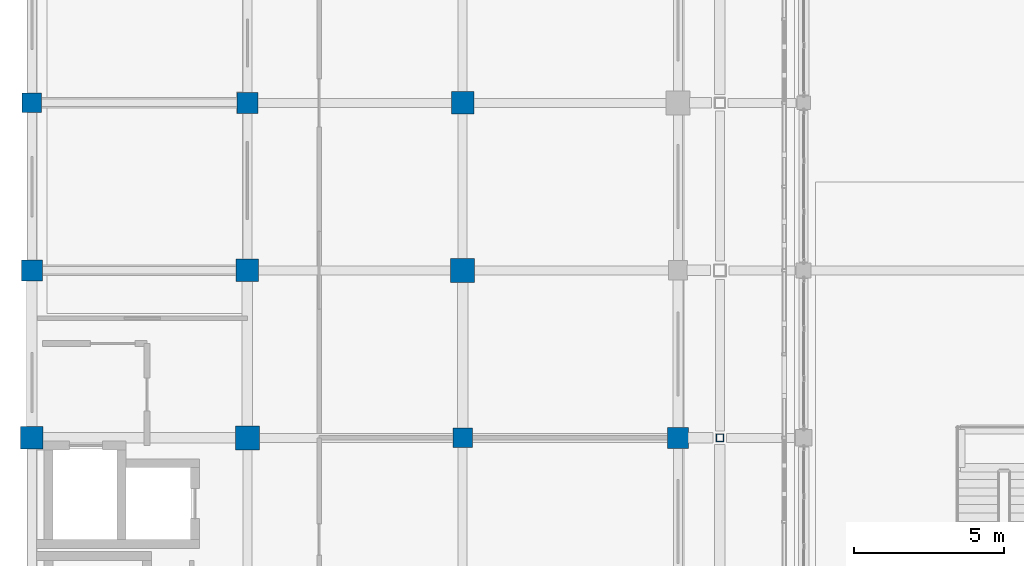
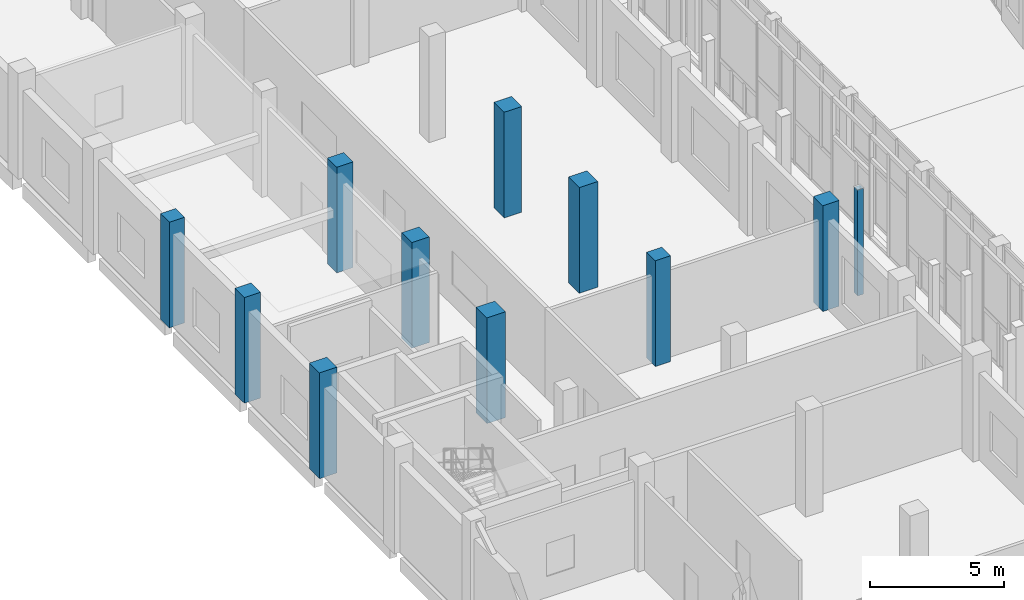
# One storey, part 7 of 91: 11 columns.
"""IFC4 building model written with IfcOpenShell, lengths in metres."""

from ifc_helpers import new_model, si_unit, direction, frame, origin, origin_2d, place, context, subcontext, project, spatial, rectangle, hollow_rectangle, extrude, material, material_profile, profile_set, type_object, element, save


model = new_model("IFC4")

# Units and contexts
model_context = context("Model", 3, precision=1e-05, world=origin(), true_north=direction((0.0, 1.0)))
body_context = subcontext(model_context, "Body", "Model", "MODEL_VIEW")
ifc_project = project(units=[si_unit("LENGTHUNIT", "METRE"), si_unit("AREAUNIT", "SQUARE_METRE"), si_unit("VOLUMEUNIT", "CUBIC_METRE"), si_unit("PLANEANGLEUNIT", "RADIAN"), si_unit("MASSUNIT", "GRAM", prefix="KILO")], contexts=[model_context])

# Site, building, storey
site_placement = place(None, origin())
site = spatial("IfcSite", under=ifc_project, at=site_placement, CompositionType="ELEMENT")
building_placement = place(site_placement, origin())
building = spatial("IfcBuilding", under=site, at=building_placement, Name="Vinh Khe Railworks Police Headquarters", CompositionType="ELEMENT")
storey_placement = place(building_placement, origin())
storey = spatial("IfcBuildingStorey", under=building, at=storey_placement, Name="L00", CompositionType="ELEMENT", Elevation=0.0)

# Columns
ifc_material_1 = material(Name="Concrete C40/50 (B40)", Category="concrete")
ifc_material_profile_1 = material_profile(ifc_material_1, rectangle(XDim=0.64990234375, YDim=0.64990234375, at=origin_2d()), Name="RC 650x650")
ifc_profile_set_1 = profile_set([ifc_material_profile_1], Name="Concrete C40/50 (B40)")
column_type_1 = type_object("IfcColumnType", Name="RC Column RC 650x650", PredefinedType="COLUMN", material=ifc_profile_set_1)
for number, where, z_axis, x_axis, name in (
    (1, (0.60009765625, 47.60009765625, 0.0), (0.0, 0.0, 1.0), (1.0, 0.0, 0.0), "Column COL-L00-CC-04-0058"),
    (2, (15.0, 36.39990234375, 0.0), (0.0, 0.0, 1.0), (1.0, 0.0, 0.0), "Column COL-L00-CC-04-0372"),
):
    element("IfcColumn", number, at=place(storey_placement, frame(where, z_axis=z_axis, x_axis=x_axis)), inside=storey, type_object=column_type_1, Name=name, PredefinedType="COLUMN", context=body_context, shape_type="SweptSolid", body=[
        extrude(rectangle(XDim=0.64990234375, YDim=0.64990234375, at=origin_2d()), origin(), (0.0, 0.0, 1.0), 4.800048828125),
    ])
ifc_material_profile_2 = material_profile(ifc_material_1, rectangle(XDim=0.699951171875, YDim=0.699951171875, at=origin_2d()), Name="RC 700x700")
ifc_profile_set_2 = profile_set([ifc_material_profile_2], Name="Concrete C40/50 (B40)")
column_type_2 = type_object("IfcColumnType", Name="RC Column RC 700x700", PredefinedType="COLUMN", material=ifc_profile_set_2)
for number, where, z_axis, x_axis, name in (
    (3, (0.60009765625, 42.0, 0.0), (0.0, 0.0, 1.0), (1.0, 0.0, 0.0), "Column COL-L00-CC-03-0048"),
    (4, (7.800048828125, 47.60009765625, 0.0), (0.0, 0.0, 1.0), (1.0, 0.0, 0.0), "Column COL-L00-CC-03-0225"),
    (5, (22.199951171875, 36.39990234375, 0.0), (0.0, 0.0, 1.0), (1.0, 0.0, 0.0), "Column COL-L00-CC-03-0536"),
):
    element("IfcColumn", number, at=place(storey_placement, frame(where, z_axis=z_axis, x_axis=x_axis)), inside=storey, type_object=column_type_2, Name=name, PredefinedType="COLUMN", context=body_context, shape_type="SweptSolid", body=[
        extrude(rectangle(XDim=0.699951171875, YDim=0.699951171875, at=origin_2d()), origin(), (0.0, 0.0, 1.0), 4.800048828125),
    ])
ifc_material_profile_3 = material_profile(ifc_material_1, rectangle(XDim=0.75, YDim=0.75, at=origin_2d()), Name="RC 750x750")
ifc_profile_set_3 = profile_set([ifc_material_profile_3], Name="Concrete C40/50 (B40)")
column_type_3 = type_object("IfcColumnType", Name="RC Column RC 750x750", PredefinedType="COLUMN", material=ifc_profile_set_3)
for number, where, z_axis, x_axis, name in (
    (6, (0.60009765625, 36.39990234375, 0.0), (0.0, 0.0, 1.0), (1.0, 0.0, 0.0), "Column COL-L00-CC-02-0038"),
    (7, (7.800048828125, 42.0, 0.0), (0.0, 0.0, 1.0), (1.0, 0.0, 0.0), "Column COL-L00-CC-02-0215"),
    (8, (15.0, 47.60009765625, 0.0), (0.0, 0.0, 1.0), (1.0, 0.0, 0.0), "Column COL-L00-CC-02-0392"),
):
    element("IfcColumn", number, at=place(storey_placement, frame(where, z_axis=z_axis, x_axis=x_axis)), inside=storey, type_object=column_type_3, Name=name, PredefinedType="COLUMN", context=body_context, shape_type="SweptSolid", body=[
        extrude(rectangle(XDim=0.75, YDim=0.75, at=origin_2d()), origin(), (0.0, 0.0, 1.0), 4.800048828125),
    ])
ifc_material_profile_4 = material_profile(ifc_material_1, rectangle(XDim=0.800048828125, YDim=0.800048828125, at=origin_2d()), Name="RC 800x800")
ifc_profile_set_4 = profile_set([ifc_material_profile_4], Name="Concrete C40/50 (B40)")
column_type_4 = type_object("IfcColumnType", Name="RC Column RC 800x800", PredefinedType="COLUMN", material=ifc_profile_set_4)
for number, where, z_axis, x_axis, name in (
    (9, (7.800048828125, 36.39990234375, 0.0), (0.0, 0.0, 1.0), (1.0, 0.0, 0.0), "Column COL-L00-CC-01-0205"),
    (10, (15.0, 42.0, 0.0), (0.0, 0.0, 1.0), (1.0, 0.0, 0.0), "Column COL-L00-CC-01-0382"),
):
    element("IfcColumn", number, at=place(storey_placement, frame(where, z_axis=z_axis, x_axis=x_axis)), inside=storey, type_object=column_type_4, Name=name, PredefinedType="COLUMN", context=body_context, shape_type="SweptSolid", body=[
        extrude(rectangle(XDim=0.800048828125, YDim=0.800048828125, at=origin_2d()), origin(), (0.0, 0.0, 1.0), 4.800048828125),
    ])
ifc_material_2 = material(Name="Steel S355JR", Category="steel")
ifc_material_profile_5 = material_profile(ifc_material_2, hollow_rectangle(XDim=0.25, YDim=0.25, WallThickness=0.012451171875, at=origin_2d()), Name="SHS 250x250x12.5")
ifc_profile_set_5 = profile_set([ifc_material_profile_5], Name="Steel S355JR")
column_type_5 = type_object("IfcColumnType", Name="Steel Column SHS 250x250x12.5", PredefinedType="COLUMN", material=ifc_profile_set_5)
column_placement = place(storey_placement, frame((23.60009765625, 36.39990234375, 0.0), z_axis=(0.0, 0.0, 1.0), x_axis=(1.0, 0.0, 0.0)))
element("IfcColumn", 11, at=column_placement, inside=storey, type_object=column_type_5, Name="Column COL-L00-SC-24-0671", PredefinedType="COLUMN", context=body_context, shape_type="SweptSolid", body=[
    extrude(hollow_rectangle(XDim=0.25, YDim=0.25, WallThickness=0.012451171875, at=origin_2d()), origin(), (0.0, 0.0, 1.0), 4.800048828125),
])

save(model, "model.ifc")
